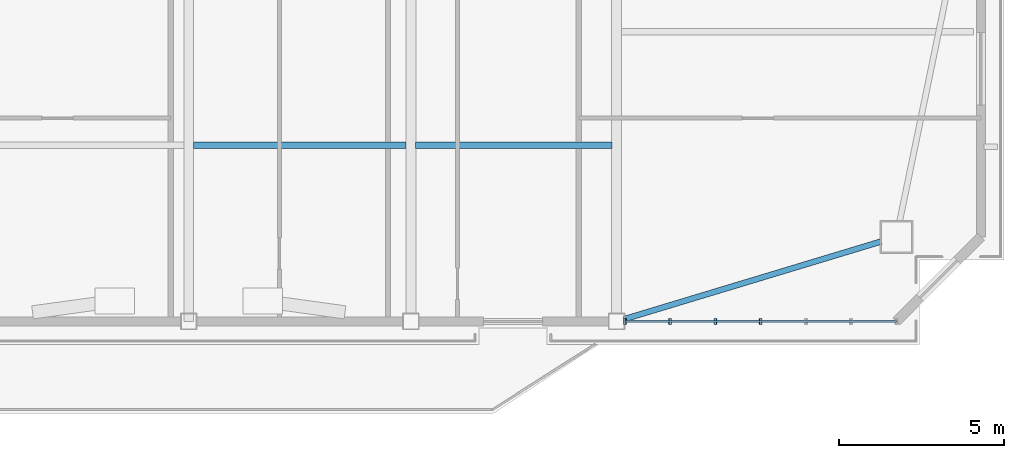
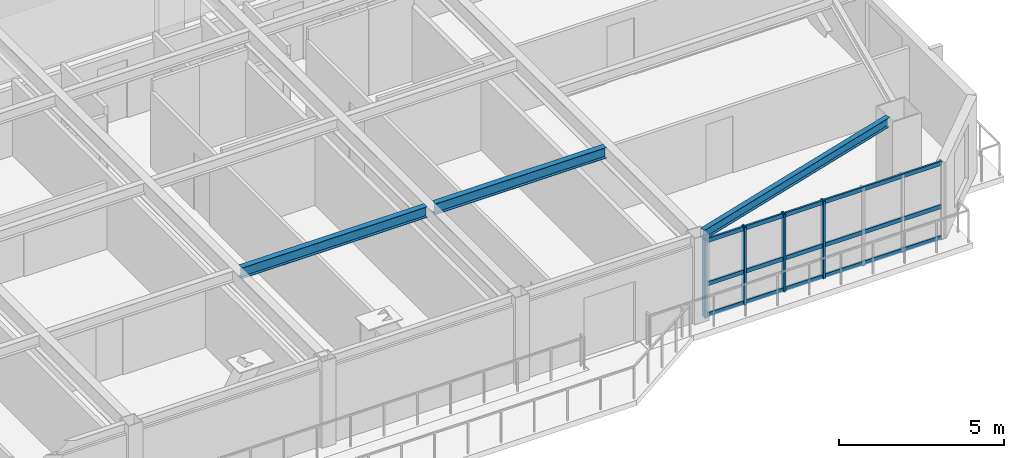
# One storey, part 4 of 18: 7 members, 3 beams, 1 element without a shape of its own.
"""IFC4 building model written with IfcOpenShell, lengths in metres."""

from ifc_helpers import new_model, si_unit, direction, frame, origin, origin_2d, place, context, subcontext, project, spatial, hollow_rectangle, i_section, extrude, source, transform, mapped, material, layer, layer_set, material_profile, profile_set, type_object, element, aggregate, save


model = new_model("IFC4")

# Units and contexts
model_context = context("Model", 3, precision=1e-05, world=origin(), true_north=direction((0.0, 1.0)))
body_context = subcontext(model_context, "Body", "Model", "MODEL_VIEW")
ifc_project = project(units=[si_unit("LENGTHUNIT", "METRE"), si_unit("AREAUNIT", "SQUARE_METRE"), si_unit("VOLUMEUNIT", "CUBIC_METRE"), si_unit("PLANEANGLEUNIT", "RADIAN"), si_unit("MASSUNIT", "GRAM", prefix="KILO")], contexts=[model_context])

# Site, building, storey
site_placement = place(None, origin())
site = spatial("IfcSite", under=ifc_project, at=site_placement, CompositionType="ELEMENT")
building_placement = place(site_placement, origin())
building = spatial("IfcBuilding", under=site, at=building_placement, Name="Giltprow Tower", CompositionType="ELEMENT")
storey_placement = place(building_placement, frame((0.0, 0.0, 262.10009765625)))
storey = spatial("IfcBuildingStorey", under=building, at=storey_placement, Name="L67", CompositionType="ELEMENT", Elevation=262.10009765625)

# Beams
ifc_material_1 = material(Name="Structural steel Q355B", Category="steel")
ifc_material_profile_1 = material_profile(ifc_material_1, i_section(OverallWidth=0.199951171875, OverallDepth=0.39990234375, WebThickness=0.008056640625, FlangeThickness=0.012939453125, at=origin_2d()), Name="HN 400x200x8x13")
ifc_profile_set_1 = profile_set([ifc_material_profile_1], Name="Structural steel Q355B")
beam_type_1 = type_object("IfcBeamType", Name="BM-JOIST-HN400", PredefinedType="JOIST", material=ifc_profile_set_1)
shared_shape_1 = source(origin(), body_context, "Body", "SweptSolid", [
    extrude(i_section(OverallWidth=0.199951171875, OverallDepth=0.39990234375, WebThickness=0.008056640625, FlangeThickness=0.012939453125, at=origin_2d()), origin(), (0.0, 0.0, 1.0), 6.4599609375),
])
beam_1_placement = place(storey_placement, frame((37.695068359375, 21.39599609375, 2.98486328125), z_axis=(1.0, 0.0, 0.0), x_axis=(0.0, 1.0, 0.0)))
element("IfcBeam", 1, at=beam_1_placement, inside=storey, type_object=beam_type_1, Name="L67 Composite Floor Joist 1-3", PredefinedType="JOIST", context=body_context, shape_type="MappedRepresentation", body=[
    mapped(shared_shape_1, transform((0.0, 0.0, 0.0), x_axis=(1.0, 0.0, 0.0), y_axis=(0.0, 1.0, 0.0), z_axis=(0.0, 0.0, 1.0), scale=1.0)),
])
shared_shape_2 = source(origin(), body_context, "Body", "SweptSolid", [
    extrude(i_section(OverallWidth=0.199951171875, OverallDepth=0.39990234375, WebThickness=0.008056640625, FlangeThickness=0.012939453125, at=origin_2d()), origin(), (0.0, 0.0, 1.0), 5.9599609375),
])
beam_2_placement = place(storey_placement, frame((44.445068359375, 21.39599609375, 2.98486328125), z_axis=(1.0, 0.0, 0.0), x_axis=(0.0, 1.0, 0.0)))
element("IfcBeam", 2, at=beam_2_placement, inside=storey, type_object=beam_type_1, Name="L67 Composite Floor Joist 1-4", PredefinedType="JOIST", context=body_context, shape_type="MappedRepresentation", body=[
    mapped(shared_shape_2, transform((0.0, 0.0, 0.0), x_axis=(1.0, 0.0, 0.0), y_axis=(0.0, 1.0, 0.0), z_axis=(0.0, 0.0, 1.0), scale=1.0)),
])
ifc_material_profile_2 = material_profile(ifc_material_1, i_section(OverallWidth=0.175048828125, OverallDepth=0.35009765625, WebThickness=0.007080078125, FlangeThickness=0.010986328125, at=origin_2d()), Name="HN 350x175x7x11")
ifc_profile_set_2 = profile_set([ifc_material_profile_2], Name="Structural steel Q355B")
beam_type_2 = type_object("IfcBeamType", Name="BM-SPAN-HN350", PredefinedType="SPANDREL", material=ifc_profile_set_2)
shared_shape_3 = source(origin(), body_context, "Body", "SweptSolid", [
    extrude(i_section(OverallWidth=0.175048828125, OverallDepth=0.35009765625, WebThickness=0.007080078125, FlangeThickness=0.010986328125, at=origin_2d()), origin(), (0.0, 0.0, 1.0), 8.1630859375),
])
beam_3_placement = place(storey_placement, frame((50.77490234375, 16.113037109375, 3.010009765625), z_axis=(0.957257269876, 0.289237824756, 0.0), x_axis=(-0.289237824756, 0.957257269876, 0.0)))
element("IfcBeam", 3, at=beam_3_placement, inside=storey, type_object=beam_type_2, Name="L67 Perimeter Spandrel Beam S4-MC_SE", PredefinedType="SPANDREL", context=body_context, shape_type="MappedRepresentation", body=[
    mapped(shared_shape_3, transform((0.0, 0.0, 0.0), x_axis=(1.0, 0.0, 0.0), y_axis=(0.0, 1.0, 0.0), z_axis=(0.0, 0.0, 1.0), scale=1.0)),
])

# Curtain wall, members
ifc_material_2 = material(Name="Anodized bronze", Category="metal")
ifc_layer = layer(ifc_material_2, 0.179931640625, Name="Anodized bronze")
ifc_layer_set = layer_set([ifc_layer], Name="Anodized bronze")
curtain_wall_type = type_object("IfcCurtainWallType", Name="CW-RES-SKY", PredefinedType="NOTDEFINED", material=ifc_layer_set)
curtain_wall_placement = place(storey_placement, origin())
curtain_wall = element("IfcCurtainWall", 4, at=curtain_wall_placement, inside=storey, type_object=curtain_wall_type, Name="L67 South Recessed Curtain Wall 6", PredefinedType="NOTDEFINED")
ifc_material_profile_3 = material_profile(ifc_material_2, hollow_rectangle(XDim=0.074951171875, YDim=0.179931640625, WallThickness=0.008056640625, at=origin_2d()), Name="RHS 180x75x8")
ifc_profile_set_3 = profile_set([ifc_material_profile_3], Name="Anodized bronze")
member_type_1 = type_object("IfcMemberType", Name="CW-MULLION-180x75", PredefinedType="MULLION", material=ifc_profile_set_3)
shared_shape_4 = source(origin(), body_context, "Body", "SweptSolid", [
    extrude(hollow_rectangle(XDim=0.074951171875, YDim=0.179931640625, WallThickness=0.008056640625, at=origin_2d()), origin(), (0.0, 0.0, 1.0), 2.869873046875),
])
member_1_placement = place(storey_placement, frame((50.800048828125, 16.044921875, -0.02001953125), z_axis=(0.0, 0.0, 1.0), x_axis=(1.0, 0.0, 0.0)))
member_1 = element("IfcMember", 5, at=member_1_placement, type_object=member_type_1, Name="L67 South Recessed Curtain Wall 6 Mullion 1", PredefinedType="MULLION", context=body_context, shape_type="MappedRepresentation", body=[
    mapped(shared_shape_4, transform((0.0, 0.0, 0.0), x_axis=(1.0, 0.0, 0.0), y_axis=(0.0, 1.0, 0.0), z_axis=(0.0, 0.0, 1.0), scale=1.0)),
])
member_2_placement = place(storey_placement, frame((52.175048828125, 16.044921875, -0.02001953125), z_axis=(0.0, 0.0, 1.0), x_axis=(1.0, 0.0, 0.0)))
member_2 = element("IfcMember", 6, at=member_2_placement, type_object=member_type_1, Name="L67 South Recessed Curtain Wall 6 Mullion 2", PredefinedType="MULLION", context=body_context, shape_type="MappedRepresentation", body=[
    mapped(shared_shape_4, transform((0.0, 0.0, 0.0), x_axis=(1.0, 0.0, 0.0), y_axis=(0.0, 1.0, 0.0), z_axis=(0.0, 0.0, 1.0), scale=1.0)),
])
member_3_placement = place(storey_placement, frame((53.551025390625, 16.044921875, -0.02001953125), z_axis=(0.0, 0.0, 1.0), x_axis=(1.0, 0.0, 0.0)))
member_3 = element("IfcMember", 7, at=member_3_placement, type_object=member_type_1, Name="L67 South Recessed Curtain Wall 6 Mullion 3", PredefinedType="MULLION", context=body_context, shape_type="MappedRepresentation", body=[
    mapped(shared_shape_4, transform((0.0, 0.0, 0.0), x_axis=(1.0, 0.0, 0.0), y_axis=(0.0, 1.0, 0.0), z_axis=(0.0, 0.0, 1.0), scale=1.0)),
])
member_4_placement = place(storey_placement, frame((54.926025390625, 16.044921875, -0.02001953125), z_axis=(0.0, 0.0, 1.0), x_axis=(1.0, 0.0, 0.0)))
member_4 = element("IfcMember", 8, at=member_4_placement, type_object=member_type_1, Name="L67 South Recessed Curtain Wall 6 Mullion 4", PredefinedType="MULLION", context=body_context, shape_type="MappedRepresentation", body=[
    mapped(shared_shape_4, transform((0.0, 0.0, 0.0), x_axis=(1.0, 0.0, 0.0), y_axis=(0.0, 1.0, 0.0), z_axis=(0.0, 0.0, 1.0), scale=1.0)),
])
ifc_material_profile_4 = material_profile(ifc_material_2, hollow_rectangle(XDim=0.06494140625, YDim=0.14990234375, WallThickness=0.006103515625, at=origin_2d()), Name="RHS 150x65x6")
ifc_profile_set_4 = profile_set([ifc_material_profile_4], Name="Anodized bronze")
member_type_2 = type_object("IfcMemberType", Name="CW-TRANSOM-150x65", PredefinedType="USERDEFINED", material=ifc_profile_set_4)
shared_shape_5 = source(origin(), body_context, "Body", "SweptSolid", [
    extrude(hollow_rectangle(XDim=0.06494140625, YDim=0.14990234375, WallThickness=0.006103515625, at=origin_2d()), origin(), (0.0, 0.0, 1.0), 8.2529296875),
])
member_5_placement = place(storey_placement, frame((50.800048828125, 16.044921875, 0.039794921875), z_axis=(1.0, 0.0, 0.0), x_axis=(0.0, 1.0, 0.0)))
member_5 = element("IfcMember", 9, at=member_5_placement, type_object=member_type_2, Name="L67 South Recessed Curtain Wall 6 Transom 1", ObjectType="TRANSOM", PredefinedType="USERDEFINED", context=body_context, shape_type="MappedRepresentation", body=[
    mapped(shared_shape_5, transform((0.0, 0.0, 0.0), x_axis=(1.0, 0.0, 0.0), y_axis=(0.0, 1.0, 0.0), z_axis=(0.0, 0.0, 1.0), scale=1.0)),
])
member_6_placement = place(storey_placement, frame((50.800048828125, 16.044921875, 1.181884765625), z_axis=(1.0, 0.0, 0.0), x_axis=(0.0, 1.0, 0.0)))
member_6 = element("IfcMember", 10, at=member_6_placement, type_object=member_type_2, Name="L67 South Recessed Curtain Wall 6 Transom 2", ObjectType="TRANSOM", PredefinedType="USERDEFINED", context=body_context, shape_type="MappedRepresentation", body=[
    mapped(shared_shape_5, transform((0.0, 0.0, 0.0), x_axis=(1.0, 0.0, 0.0), y_axis=(0.0, 1.0, 0.0), z_axis=(0.0, 0.0, 1.0), scale=1.0)),
])
member_7_placement = place(storey_placement, frame((50.800048828125, 16.044921875, 2.77490234375), z_axis=(1.0, 0.0, 0.0), x_axis=(0.0, 1.0, 0.0)))
member_7 = element("IfcMember", 11, at=member_7_placement, type_object=member_type_2, Name="L67 South Recessed Curtain Wall 6 Transom 3", ObjectType="TRANSOM", PredefinedType="USERDEFINED", context=body_context, shape_type="MappedRepresentation", body=[
    mapped(shared_shape_5, transform((0.0, 0.0, 0.0), x_axis=(1.0, 0.0, 0.0), y_axis=(0.0, 1.0, 0.0), z_axis=(0.0, 0.0, 1.0), scale=1.0)),
])
aggregate(curtain_wall, [member_1, member_2, member_3, member_4, member_5, member_6, member_7])

save(model, "model.ifc")
